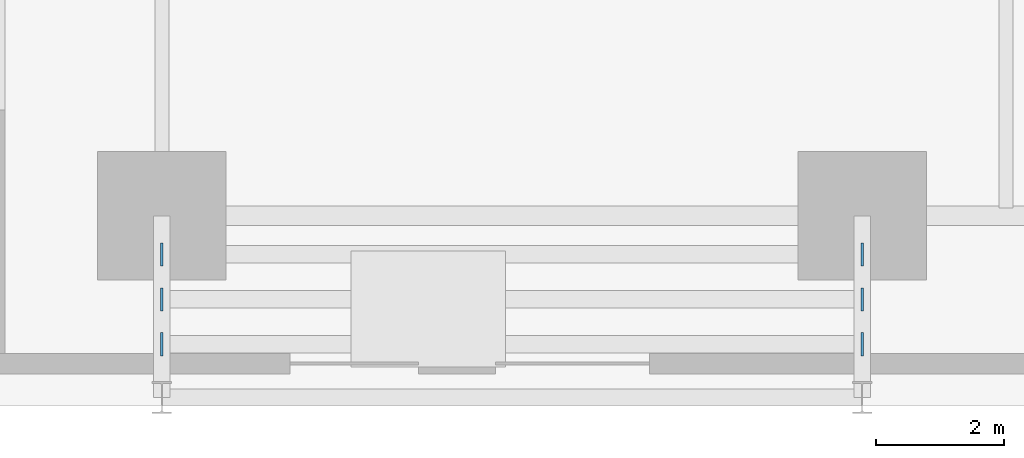
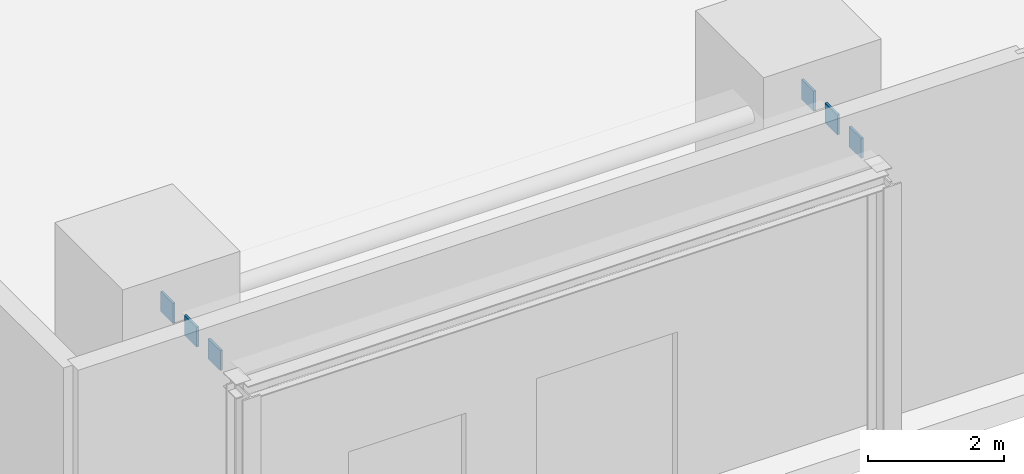
# One storey, part 11 of 25: 6 plates.
"""IFC4 building model written with IfcOpenShell, lengths in metres."""

from ifc_helpers import new_model, si_unit, direction, frame, origin, origin_2d, place, context, subcontext, project, spatial, rectangle, extrude, source, transform, mapped, material, layer, layer_set, type_object, element, save


model = new_model("IFC4")

# Units and contexts
model_context = context("Model", 3, precision=1e-05, world=origin(), true_north=direction((0.0, 1.0)))
body_context = subcontext(model_context, "Body", "Model", "MODEL_VIEW")
ifc_project = project(units=[si_unit("LENGTHUNIT", "METRE"), si_unit("AREAUNIT", "SQUARE_METRE"), si_unit("VOLUMEUNIT", "CUBIC_METRE"), si_unit("PLANEANGLEUNIT", "RADIAN"), si_unit("MASSUNIT", "GRAM", prefix="KILO")], contexts=[model_context])

# Site, building, storey
site_placement = place(None, origin())
site = spatial("IfcSite", under=ifc_project, at=site_placement, CompositionType="ELEMENT")
building_placement = place(site_placement, origin())
building = spatial("IfcBuilding", under=site, at=building_placement, Name="Vardaveli Station Tower", CompositionType="ELEMENT")
storey_placement = place(building_placement, origin())
storey = spatial("IfcBuildingStorey", under=building, at=storey_placement, Name="L01", CompositionType="ELEMENT", Elevation=0.0)

# Plates
ifc_material = material(Name="Structural steel S460M", Category="steel")
ifc_layer = layer(ifc_material, 0.0400390625, Name="Structural steel S460M")
ifc_layer_set = layer_set([ifc_layer], Name="Structural steel S460M")
plate_type = type_object("IfcPlateType", Name="PLT-CAP-40", PredefinedType="USERDEFINED", material=ifc_layer_set)
shared_shape = source(origin(), body_context, "Body", "SweptSolid", [
    extrude(rectangle(XDim=0.0400390625, YDim=0.360107421875, at=origin_2d()), origin(), (0.0, 0.0, 1.0), 0.360107421875),
])
for number, where, z_axis, x_axis, name in (
    (1, (3.25, 0.949951171875, 4.60009765625), (0.0, 0.0, 1.0), (1.0, 0.0, 0.0), "PLT-CNP-S1-1A"),
    (2, (14.159912109375, 0.949951171875, 4.60009765625), (0.0, 0.0, 1.0), (1.0, 0.0, 0.0), "PLT-CNP-S1-1B"),
    (3, (3.25, 1.64990234375, 4.60009765625), (0.0, 0.0, 1.0), (1.0, 0.0, 0.0), "PLT-CNP-S1-2A"),
    (4, (14.159912109375, 1.64990234375, 4.60009765625), (0.0, 0.0, 1.0), (1.0, 0.0, 0.0), "PLT-CNP-S1-2B"),
    (5, (3.25, 2.35009765625, 4.60009765625), (0.0, 0.0, 1.0), (1.0, 0.0, 0.0), "PLT-CNP-S1-3A"),
    (6, (14.159912109375, 2.35009765625, 4.60009765625), (0.0, 0.0, 1.0), (1.0, 0.0, 0.0), "PLT-CNP-S1-3B"),
):
    element("IfcPlate", number, at=place(storey_placement, frame(where, z_axis=z_axis, x_axis=x_axis)), inside=storey, type_object=plate_type, Name=name, ObjectType="GUSSET PLATE", PredefinedType="USERDEFINED", context=body_context, shape_type="MappedRepresentation", body=[
        mapped(shared_shape, transform((0.0, 0.0, 0.0), scale=1.0)),
    ])

save(model, "model.ifc")
